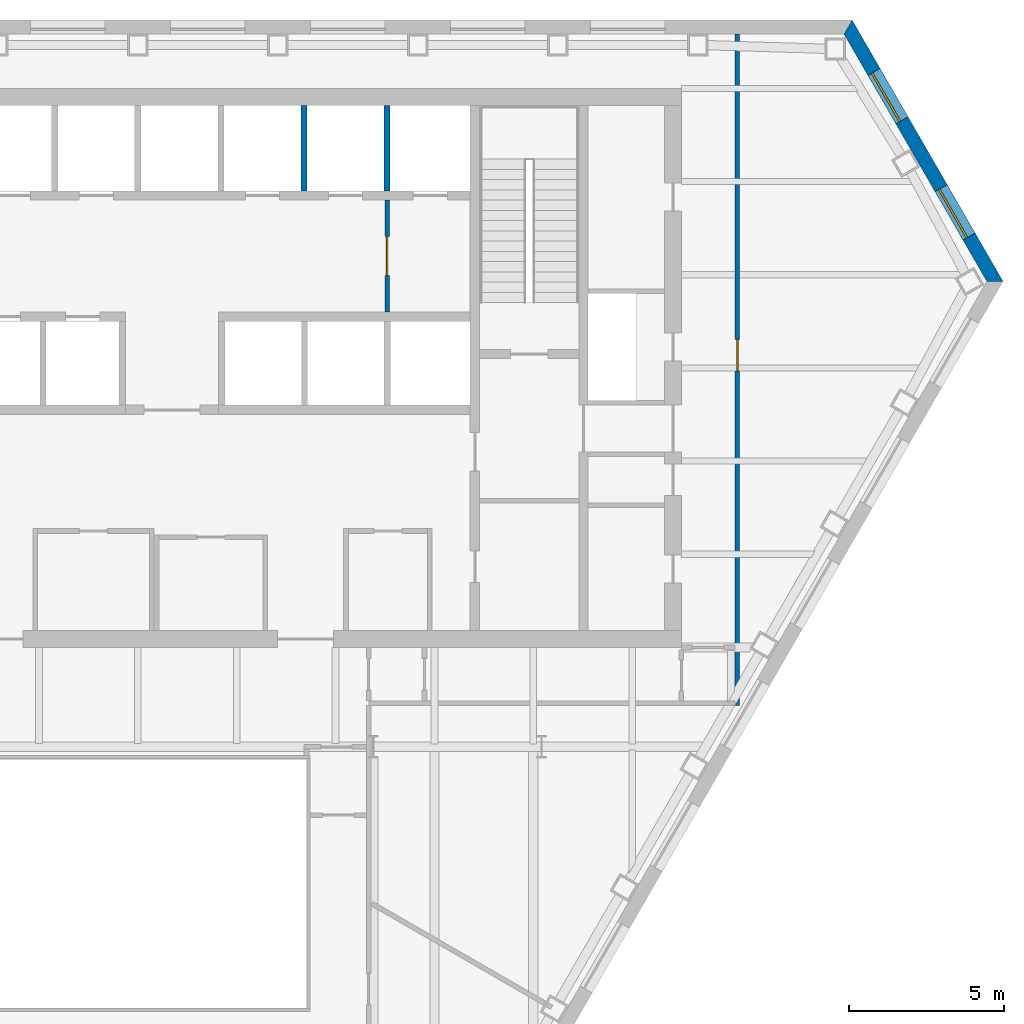
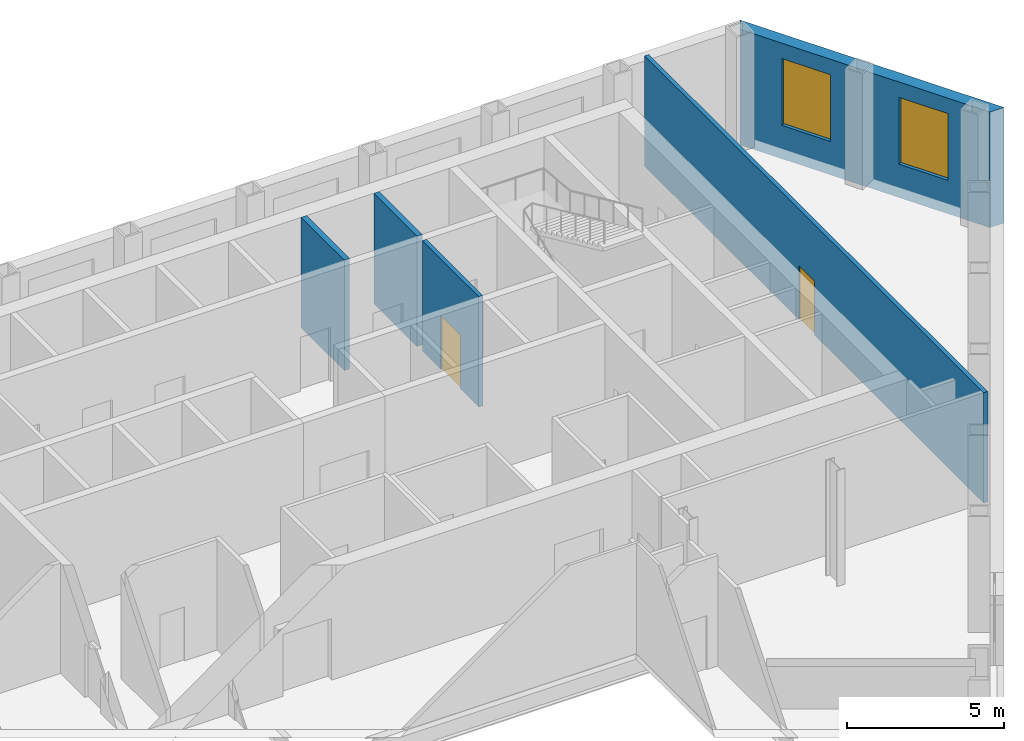
# One storey, part 8 of 11: 5 walls, 2 doors, 2 windows, 4 openings.
"""IFC4 building model written with IfcOpenShell, lengths in metres."""

import ifcopenshell
import ifcopenshell.guid

model = None  # the IFC model being written
_history = None  # IfcOwnerHistory: only IFC2X3 demands one
_inside = {}  # id of a spatial element -> (the spatial element, [elements in it])
_under = {}  # id of a project, library or spatial element -> (it, [spatial elements below it])
_declared = {}  # id of a project -> (the project, [libraries it declares])
_typed = {}  # id of a type object -> (the type object, [elements of that type])
_made_of = {}  # id of a material, layer set ... -> (it, [elements and type objects made of it])


def new_model(schema):
    """Start an empty IFC model of exactly this schema.

    Asked for "IFC4X3", IfcOpenShell would pick the latest addendum, in which some entities
    have other attributes; the version numbers below select the first issue.
    IFC2X3 requires an IfcOwnerHistory on every rooted entity: one is made here for all.
    """
    global model, _history
    if schema == "IFC4X3":
        model = ifcopenshell.file(schema_version=(4, 3, 0, 0))
    else:
        model = ifcopenshell.file(schema=schema)
    _inside.clear()
    _under.clear()
    _declared.clear()
    _typed.clear()
    _made_of.clear()
    _history = None
    if model.schema == "IFC2X3":
        org = make("IfcOrganization", Name="unknown")
        user = make(
            "IfcPersonAndOrganization",
            ThePerson=make("IfcPerson", FamilyName="unknown"),
            TheOrganization=org,
        )
        app = make(
            "IfcApplication",
            ApplicationDeveloper=org,
            Version="unknown",
            ApplicationFullName="unknown",
            ApplicationIdentifier="unknown",
        )
        _history = make(
            "IfcOwnerHistory",
            OwningUser=user,
            OwningApplication=app,
            ChangeAction="ADDED",
            CreationDate=0,
        )
    return model


def make(cls, **values):
    """One entity of the class cls with the attributes given. An attribute that is None is left unset."""
    return model.create_entity(
        cls, **{name: value for name, value in values.items() if value is not None}
    )


def rooted(cls, **values):
    """An entity with a GlobalId (a new one), such as an element, a storey or a relation."""
    return make(cls, GlobalId=ifcopenshell.guid.new(), OwnerHistory=_history, **values)


def si_unit(unit_type, name, prefix=None):
    """IfcSIUnit, for example si_unit("LENGTHUNIT", "METRE", prefix="MILLI")."""
    return make("IfcSIUnit", UnitType=unit_type, Prefix=prefix, Name=name)


def assignment(units):
    """IfcUnitAssignment: the units of a project."""
    return None if units is None else make("IfcUnitAssignment", Units=units)


def point(xyz):
    """IfcCartesianPoint."""
    return None if xyz is None else make("IfcCartesianPoint", Coordinates=xyz)


def direction(xyz):
    """IfcDirection."""
    return None if xyz is None else make("IfcDirection", DirectionRatios=xyz)


def frame(location, z_axis=None, x_axis=None):
    """IfcAxis2Placement3D, a coordinate frame: its origin and axes. An axis left out is left unset."""
    return make(
        "IfcAxis2Placement3D",
        Location=point(location),
        Axis=direction(z_axis),
        RefDirection=direction(x_axis),
    )


def frame_2d(location, x_axis=None):
    """IfcAxis2Placement2D, a coordinate frame in the plane: its origin and x axis."""
    return make(
        "IfcAxis2Placement2D", Location=point(location), RefDirection=direction(x_axis)
    )


def origin():
    """The frame at (0, 0, 0) with its axes left unset."""
    return frame((0.0, 0.0, 0.0))


def place(relative_to, where):
    """IfcLocalPlacement: puts the frame where relative to a parent placement (None: the world)."""
    return make(
        "IfcLocalPlacement", PlacementRelTo=relative_to, RelativePlacement=where
    )


def context(
    kind, dimensions, precision=None, world=None, true_north=None, identifier=None
):
    """IfcGeometricRepresentationContext, for example the 3D "Model" context."""
    return make(
        "IfcGeometricRepresentationContext",
        ContextIdentifier=identifier,
        ContextType=kind,
        CoordinateSpaceDimension=dimensions,
        Precision=precision,
        WorldCoordinateSystem=world,
        TrueNorth=true_north,
    )


def subcontext(parent, identifier, kind, view, scale=None):
    """IfcGeometricRepresentationSubContext, for example "Body" below "Model"."""
    return make(
        "IfcGeometricRepresentationSubContext",
        ContextIdentifier=identifier,
        ContextType=kind,
        ParentContext=parent,
        TargetScale=scale,
        TargetView=view,
    )


def project(units=None, contexts=None):
    """IfcProject with its units and contexts."""
    return rooted(
        "IfcProject",
        Name="project",
        RepresentationContexts=contexts,
        UnitsInContext=assignment(units),
    )


def spatial(cls, under=None, at=None, **own):
    """A site, building, storey or space (cls), placed at a placement, below another one or the project."""
    s = rooted(cls, ObjectPlacement=at, **own)
    if under is not None:
        _under.setdefault(under.id(), (under, []))[1].append(s)
    return s


def polyline(points):
    """IfcPolyline through the points."""
    return make("IfcPolyline", Points=[point(p) for p in points])


def profile(cls, at=None, kind="AREA", **sizes):
    """A parametric profile (cls). Its sizes go by their IFC names, for example OverallWidth=200.0."""
    return make(cls, ProfileType=kind, Position=at, **sizes)


def rectangle(**sizes):
    """IfcRectangleProfileDef."""
    return profile("IfcRectangleProfileDef", **sizes)


def outline(outer, holes=None, kind="AREA"):
    """IfcArbitraryClosedProfileDef: a profile drawn as a closed curve; with holes, ...WithVoids."""
    if holes is None:
        return make("IfcArbitraryClosedProfileDef", ProfileType=kind, OuterCurve=outer)
    return make(
        "IfcArbitraryProfileDefWithVoids",
        ProfileType=kind,
        OuterCurve=outer,
        InnerCurves=holes,
    )


def extrude(swept, where, along, depth):
    """IfcExtrudedAreaSolid: the profile swept, set in the frame where, extruded along a direction by depth."""
    return make(
        "IfcExtrudedAreaSolid",
        SweptArea=swept,
        Position=where,
        ExtrudedDirection=direction(along),
        Depth=depth,
    )


def shape(context_of_items, identifier, shape_type, items):
    """IfcShapeRepresentation: the items that make up one representation, for example the "Body"."""
    return make(
        "IfcShapeRepresentation",
        ContextOfItems=context_of_items,
        RepresentationIdentifier=identifier,
        RepresentationType=shape_type,
        Items=items,
    )


def material(Name=None, Category=None):
    """IfcMaterial."""
    return make("IfcMaterial", Name=Name, Category=Category)


def layer(
    of_material, thickness, ventilated=None, Name=None, Category=None, Priority=None
):
    """IfcMaterialLayer: one layer of a wall or slab, of a material (None: an air gap)."""
    return make(
        "IfcMaterialLayer",
        Material=of_material,
        LayerThickness=thickness,
        IsVentilated=ventilated,
        Name=Name,
        Category=Category,
        Priority=Priority,
    )


def layer_set(layers, Name=None):
    """IfcMaterialLayerSet."""
    return make("IfcMaterialLayerSet", MaterialLayers=layers, LayerSetName=Name)


def made_of(thing, what):
    """Note that an element or type object is made of a material, layer set ...; save() writes the relation."""
    if what is not None:
        _made_of.setdefault(what.id(), (what, []))[1].append(thing)
    return thing


def type_object(cls, material=None, **own):
    """A type object (cls), such as IfcWallType, which elements share."""
    return made_of(rooted(cls, **own), material)


def element(
    cls,
    number,
    at=None,
    inside=None,
    cuts=None,
    type_object=None,
    material=None,
    context=None,
    identifier="Body",
    shape_type=None,
    held_by="IfcProductDefinitionShape",
    body=None,
    shapes=None,
    **own,
):
    """One element of the class cls, such as IfcWall. Its Tag is "e" and its number.

    at: its placement. inside: the storey or other place that contains it. cuts: it is an
    opening in that element (IfcRelVoidsElement). A single representation is given by context,
    identifier, shape_type and body (its items); several are given by shapes. held_by: the class
    of the entity that holds the representations. save() writes the other relations.
    """
    e = rooted(cls, Tag="e%d" % number, ObjectPlacement=at, **own)
    if body is not None:
        shapes = [shape(context, identifier, shape_type, body)]
    if shapes is not None:
        e.Representation = make(held_by, Representations=shapes)
    if inside is not None:
        _inside.setdefault(inside.id(), (inside, []))[1].append(e)
    if cuts is not None:
        rooted(
            "IfcRelVoidsElement", RelatingBuildingElement=cuts, RelatedOpeningElement=e
        )
    if type_object is not None:
        _typed.setdefault(type_object.id(), (type_object, []))[1].append(e)
    return made_of(e, material)


def fill(opening, filler):
    """IfcRelFillsElement: the door or window that sits in an opening."""
    return rooted(
        "IfcRelFillsElement",
        RelatingOpeningElement=opening,
        RelatedBuildingElement=filler,
    )


def aggregate(whole, parts):
    """IfcRelAggregates: a whole, such as a stair, and the parts it consists of."""
    return rooted("IfcRelAggregates", RelatingObject=whole, RelatedObjects=parts)


def save(model, path):
    """Write the relations noted so far, then the file.

    IfcRelAggregates (storeys below a building ...), IfcRelContainedInSpatialStructure (elements
    in a storey), IfcRelDefinesByType, IfcRelAssociatesMaterial and IfcRelDeclares: one each for
    every whole, place, type object, material and project.
    """
    for whole, parts in _under.values():
        aggregate(whole, parts)
    for where, things in _inside.values():
        rooted(
            "IfcRelContainedInSpatialStructure",
            RelatedElements=things,
            RelatingStructure=where,
        )
    for kind, things in _typed.values():
        rooted("IfcRelDefinesByType", RelatedObjects=things, RelatingType=kind)
    for what, things in _made_of.values():
        rooted("IfcRelAssociatesMaterial", RelatedObjects=things, RelatingMaterial=what)
    for by, libraries in _declared.values():
        rooted("IfcRelDeclares", RelatingContext=by, RelatedDefinitions=libraries)
    model.write(path)


model = new_model("IFC4")

# Units and contexts
model_context = context("Model", 3, precision=1e-05, world=origin(), true_north=direction((0.0, 1.0)))
body_context = subcontext(model_context, "Body", "Model", "MODEL_VIEW")
ifc_project = project(units=[si_unit("LENGTHUNIT", "METRE"), si_unit("AREAUNIT", "SQUARE_METRE"), si_unit("VOLUMEUNIT", "CUBIC_METRE"), si_unit("PLANEANGLEUNIT", "RADIAN"), si_unit("MASSUNIT", "GRAM", prefix="KILO")], contexts=[model_context])

# Site, building, storey
site_placement = place(None, origin())
site = spatial("IfcSite", under=ifc_project, at=site_placement, CompositionType="ELEMENT")
building_placement = place(site_placement, origin())
building = spatial("IfcBuilding", under=site, at=building_placement, Name="Njiva Tower", CompositionType="ELEMENT")
storey_placement = place(building_placement, frame((0.0, 0.0, 115.8)))
storey = spatial("IfcBuildingStorey", under=building, at=storey_placement, Name="L24", CompositionType="ELEMENT", Elevation=115.8)

# Wall, opening, door
ifc_material_1 = material(Name="Blockwork", Category="masonry")
ifc_layer_1 = layer(ifc_material_1, 0.15)
ifc_layer_set_1 = layer_set([ifc_layer_1], Name="Blockwork")
wall_type_1 = type_object("IfcWallType", Name="WT2 Lobby partition 150", PredefinedType="PARTITIONING", material=ifc_layer_set_1)
wall_1_placement = place(storey_placement, frame((8.025, 10.8, 0.0), z_axis=(0.0, 0.0, 1.0), x_axis=(0.0, 1.0, 0.0)))
wall_1 = element("IfcWall", 1, at=wall_1_placement, inside=storey, type_object=wall_type_1, Name="Firefighting lobby wall B", PredefinedType="PARTITIONING", context=body_context, shape_type="SweptSolid", body=[
    extrude(rectangle(XDim=3.6, YDim=0.15, at=frame_2d((1.8, 0.0))), origin(), (0.0, 0.0, 1.0), 4.3),
])
opening_1_placement = place(wall_1_placement, frame((1.175, 0.0, 0.0)))
opening_1 = element("IfcOpeningElement", 2, at=opening_1_placement, cuts=wall_1, Name="Opening S08-D916", PredefinedType="OPENING", context=body_context, shape_type="SweptSolid", body=[
    extrude(rectangle(XDim=1.25, YDim=2.1, at=frame_2d((0.625, 1.05))), frame((0.0, 0.085, 0.0), z_axis=(0.0, -1.0, 0.0), x_axis=(1.0, 0.0, 0.0)), (0.0, 0.0, 1.0), 0.17),
])
ifc_material_2 = material(Name="Glazed steel fire door", Category="steel")
door_type_1 = type_object("IfcDoorType", Name="D8 Vestibule corridor door 1250x2100 glazed", OperationType="SINGLE_SWING_LEFT", PredefinedType="DOOR", material=ifc_material_2)
door_1_placement = place(opening_1_placement, origin())
door_1 = element("IfcDoor", 3, at=door_1_placement, inside=storey, type_object=door_type_1, Name="Stair vestibule corridor door", OperationType="SINGLE_SWING_LEFT", OverallHeight=2.1, OverallWidth=1.25, PredefinedType="DOOR", context=body_context, shape_type="SweptSolid", body=[
    extrude(rectangle(XDim=1.25, YDim=2.1, at=frame_2d((0.625, 1.05))), frame((0.0, 0.025, 0.0), z_axis=(0.0, -1.0, 0.0), x_axis=(1.0, 0.0, 0.0)), (0.0, 0.0, 1.0), 0.05),
])
fill(opening_1, door_1)

ifc_material_3 = material(Name="Gypsum board on steel studs", Category="gypsum")
ifc_layer_2 = layer(ifc_material_3, 0.15)
ifc_layer_set_2 = layer_set([ifc_layer_2], Name="Gypsum board on steel studs")
wall_type_2 = type_object("IfcWallType", Name="WT21 Compartment wall 150", PredefinedType="PARTITIONING", material=ifc_layer_set_2)
wall_2_placement = place(storey_placement, frame((19.3, -1.875, 0.0), z_axis=(0.0, 0.0, 1.0), x_axis=(0.0, 1.0, 0.0)))
wall_2 = element("IfcWall", 4, at=wall_2_placement, inside=storey, type_object=wall_type_2, Name="Partition S08-P026", PredefinedType="PARTITIONING", context=body_context, shape_type="SweptSolid", body=[
    extrude(rectangle(XDim=21.625, YDim=0.15, at=frame_2d((10.8125, 0.0))), origin(), (0.0, 0.0, 1.0), 4.3),
])
opening_2_placement = place(wall_2_placement, frame((10.791, 0.0, 0.0)))
opening_2 = element("IfcOpeningElement", 5, at=opening_2_placement, cuts=wall_2, Name="Opening S08-D018", PredefinedType="OPENING", context=body_context, shape_type="SweptSolid", body=[
    extrude(rectangle(XDim=1.0, YDim=2.1, at=frame_2d((0.5, 1.05))), frame((0.0, 0.085, 0.0), z_axis=(0.0, -1.0, 0.0), x_axis=(1.0, 0.0, 0.0)), (0.0, 0.0, 1.0), 0.17),
])
ifc_material_4 = material(Name="Steel fire door set", Category="steel")
door_type_2 = type_object("IfcDoorType", Name="D37 Fire door 1000x2100", OperationType="SINGLE_SWING_LEFT", PredefinedType="DOOR", material=ifc_material_4)
door_2_placement = place(opening_2_placement, origin())
door_2 = element("IfcDoor", 6, at=door_2_placement, inside=storey, type_object=door_type_2, Name="Door S08-D018", OperationType="SINGLE_SWING_RIGHT", OverallHeight=2.1, OverallWidth=1.0, PredefinedType="DOOR", context=body_context, shape_type="SweptSolid", body=[
    extrude(rectangle(XDim=1.0, YDim=2.1, at=frame_2d((0.5, 1.05))), frame((0.0, 0.025, 0.0), z_axis=(0.0, -1.0, 0.0), x_axis=(1.0, 0.0, 0.0)), (0.0, 0.0, 1.0), 0.05),
])
fill(opening_2, door_2)

# Walls
ifc_material_5 = material(Name="Concrete C40/50", Category="concrete")
ifc_layer_3 = layer(ifc_material_5, 0.2)
ifc_layer_set_3 = layer_set([ifc_layer_3], Name="Concrete C40/50")
wall_type_3 = type_object("IfcWallType", Name="WT6 Lift shaft wall 200", PredefinedType="SHEAR", material=ifc_layer_set_3)
for number, where, z_axis, x_axis, name in (
    (7, (5.35, 14.7, 0.0), (0.0, 0.0, 1.0), (0.0, 1.0, 0.0), "Shaft wall CN6"),
    (8, (8.025, 14.7, 0.0), (0.0, 0.0, 1.0), (0.0, 1.0, 0.0), "Shaft wall CN7"),
):
    element("IfcWall", number, at=place(storey_placement, frame(where, z_axis=z_axis, x_axis=x_axis)), inside=storey, type_object=wall_type_3, Name=name, PredefinedType="SHEAR", context=body_context, shape_type="SweptSolid", body=[
        extrude(rectangle(XDim=2.75, YDim=0.2, at=frame_2d((1.375, 0.0))), origin(), (0.0, 0.0, 1.0), 4.3),
    ])

# Wall, openings, windows
ifc_material_6 = material(Name="Brick masonry, buff", Category="masonry")
ifc_layer_4 = layer(ifc_material_6, 0.45)
ifc_layer_set_4 = layer_set([ifc_layer_4], Name="Brick masonry, buff")
wall_type_4 = type_object("IfcWallType", Name="WT94 Brick pier and spandrel wall 450, buff", PredefinedType="SOLIDWALL", material=ifc_layer_set_4)
wall_3_placement = place(storey_placement, frame((27.5989, 11.7844, -0.4), z_axis=(0.0, 0.0, 1.0), x_axis=(-0.499998788182, 0.866026103427, 0.0)))
wall_3 = element("IfcWall", 9, at=wall_3_placement, inside=storey, type_object=wall_type_4, Name="Facade wall NE", PredefinedType="SOLIDWALL", context=body_context, shape_type="SweptSolid", body=[
    extrude(outline(polyline([(-0.1299, -0.225), (9.5901, -0.225), (9.3303, 0.225), (0.1299, 0.225), (-0.1299, -0.225)])), origin(), (0.0, 0.0, 1.0), 4.5),
])
opening_3_placement = place(wall_3_placement, frame((1.6694, 0.0, 1.3)))
opening_3 = element("IfcOpeningElement", 10, at=opening_3_placement, cuts=wall_3, Name="Opening S08-W33", PredefinedType="OPENING", context=body_context, shape_type="SweptSolid", body=[
    extrude(rectangle(XDim=1.8, YDim=2.6, at=frame_2d((0.9, 1.3))), frame((0.0, 0.235, 0.0), z_axis=(0.0, -1.0, 0.0), x_axis=(1.0, 0.0, 0.0)), (0.0, 0.0, 1.0), 0.47),
])
opening_4_placement = place(wall_3_placement, frame((5.9907, 0.0, 1.3)))
opening_4 = element("IfcOpeningElement", 11, at=opening_4_placement, cuts=wall_3, Name="Opening S08-W34", PredefinedType="OPENING", context=body_context, shape_type="SweptSolid", body=[
    extrude(rectangle(XDim=1.8, YDim=2.6, at=frame_2d((0.9, 1.3))), frame((0.0, 0.235, 0.0), z_axis=(0.0, -1.0, 0.0), x_axis=(1.0, 0.0, 0.0)), (0.0, 0.0, 1.0), 0.47),
])
ifc_material_7 = material(Name="Clear glazing in aluminium frame", Category="aluminium")
window_type = type_object("IfcWindowType", Name="W96 Deep-set window 1800x2600", PartitioningType="SINGLE_PANEL", PredefinedType="WINDOW", material=ifc_material_7)
window_1_placement = place(opening_3_placement, origin())
window_1 = element("IfcWindow", 12, at=window_1_placement, inside=storey, type_object=window_type, Name="Window", OverallHeight=2.6, OverallWidth=1.8, PartitioningType="SINGLE_PANEL", PredefinedType="WINDOW", context=body_context, shape_type="SweptSolid", body=[
    extrude(rectangle(XDim=1.8, YDim=2.6, at=frame_2d((0.9, 1.3))), frame((0.0, 0.105, 0.0), z_axis=(0.0, -1.0, 0.0), x_axis=(1.0, 0.0, 0.0)), (0.0, 0.0, 1.0), 0.06),
])
fill(opening_3, window_1)
window_2_placement = place(opening_4_placement, origin())
window_2 = element("IfcWindow", 13, at=window_2_placement, inside=storey, type_object=window_type, Name="Window", OverallHeight=2.6, OverallWidth=1.8, PartitioningType="SINGLE_PANEL", PredefinedType="WINDOW", context=body_context, shape_type="SweptSolid", body=[
    extrude(rectangle(XDim=1.8, YDim=2.6, at=frame_2d((0.9, 1.3))), frame((0.0, 0.105, 0.0), z_axis=(0.0, -1.0, 0.0), x_axis=(1.0, 0.0, 0.0)), (0.0, 0.0, 1.0), 0.06),
])
fill(opening_4, window_2)

save(model, "model.ifc")
